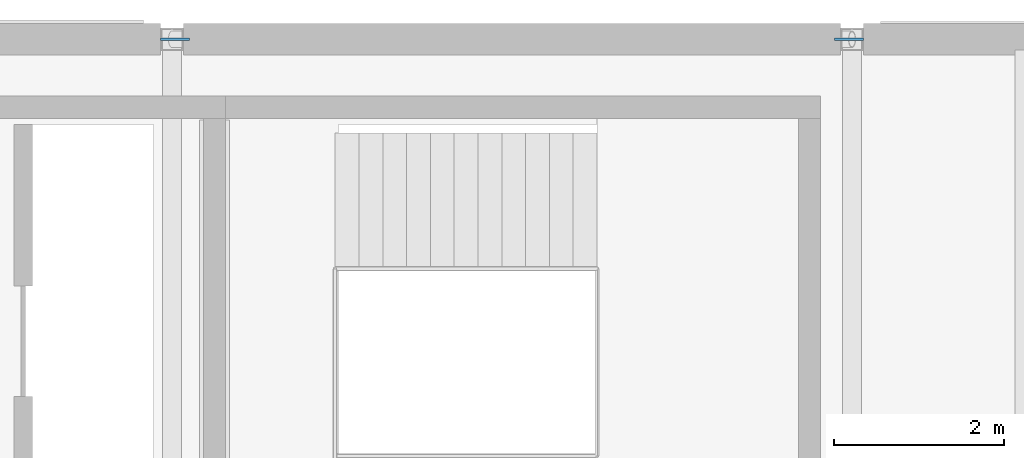
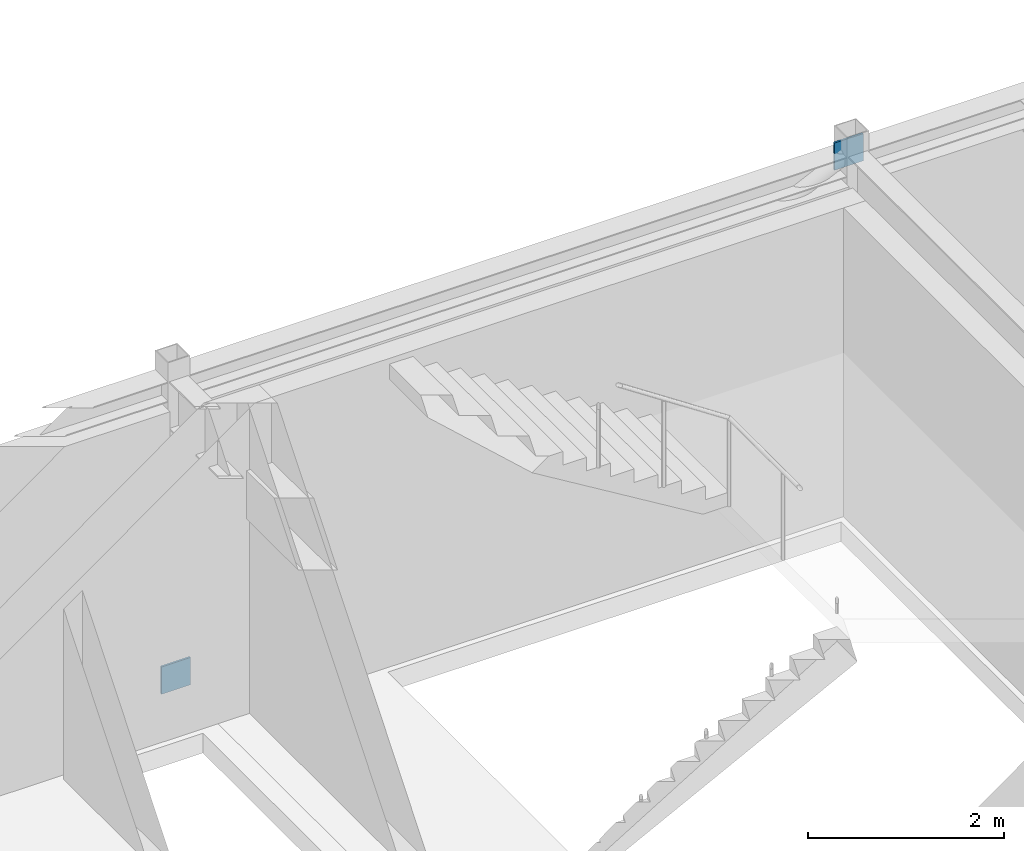
# One storey, part 177 of 189: 2 discrete accessories.
"""IFC4 building model written with IfcOpenShell, lengths in metres."""

from ifc_helpers import new_model, si_unit, direction, frame, origin, origin_2d, place, context, subcontext, project, spatial, rectangle, extrude, material, type_object, element, save


model = new_model("IFC4")

# Units and contexts
model_context = context("Model", 3, precision=1e-05, world=origin(), true_north=direction((0.0, 1.0)))
body_context = subcontext(model_context, "Body", "Model", "MODEL_VIEW")
ifc_project = project(units=[si_unit("LENGTHUNIT", "METRE"), si_unit("AREAUNIT", "SQUARE_METRE"), si_unit("VOLUMEUNIT", "CUBIC_METRE"), si_unit("PLANEANGLEUNIT", "RADIAN"), si_unit("MASSUNIT", "GRAM", prefix="KILO")], contexts=[model_context])

# Site, building, storey
site_placement = place(None, origin())
site = spatial("IfcSite", under=ifc_project, at=site_placement, CompositionType="ELEMENT")
building_placement = place(site_placement, origin())
building = spatial("IfcBuilding", under=site, at=building_placement, Name="Montecoro Central Library", CompositionType="ELEMENT")
storey_placement = place(building_placement, frame((0.0, 0.0, 9.179931640625)))
storey = spatial("IfcBuildingStorey", under=building, at=storey_placement, Name="L02", CompositionType="ELEMENT", Elevation=9.179931640625)

# Discrete accessories
ifc_material = material(Name="Steel S355", Category="steel")
discrete_accessory_type = type_object("IfcDiscreteAccessoryType", Name="GUSSET-PLT-01", PredefinedType="BRACKET", material=ifc_material)
for number, where, z_axis, x_axis, name in (
    (1, (149.035888671875, 119.0, -0.14306640625), (0.0, 0.0, 1.0), (1.0, 0.0, 0.0), "V5-L02-BRN1-GPA"),
    (2, (156.964111328125, 119.0, 3.60791015625), (0.0, 0.0, 1.0), (1.0, 0.0, 0.0), "V5-L02-BRN1-GPB"),
):
    element("IfcDiscreteAccessory", number, at=place(storey_placement, frame(where, z_axis=z_axis, x_axis=x_axis)), inside=storey, type_object=discrete_accessory_type, Name=name, PredefinedType="BRACKET", context=body_context, shape_type="SweptSolid", body=[
        extrude(rectangle(XDim=0.340087890625, YDim=0.02392578125, at=origin_2d()), origin(), (0.0, 0.0, 1.0), 0.340087890625),
    ])

save(model, "model.ifc")
